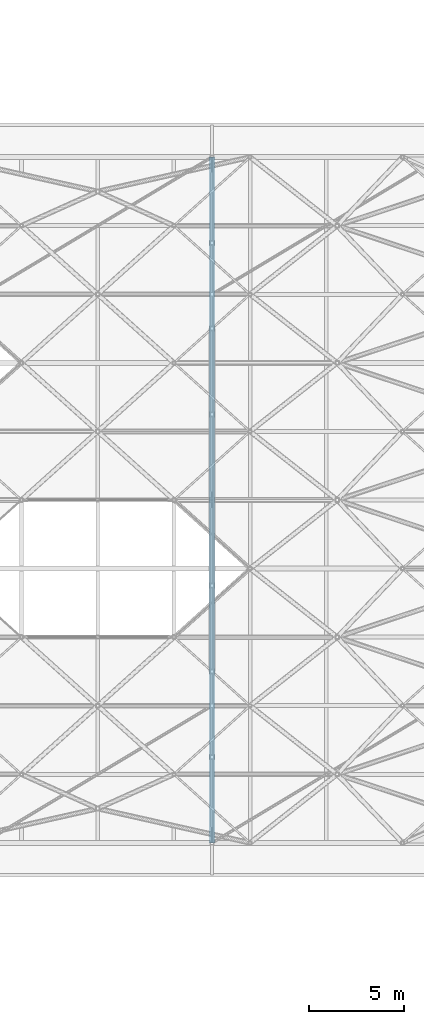
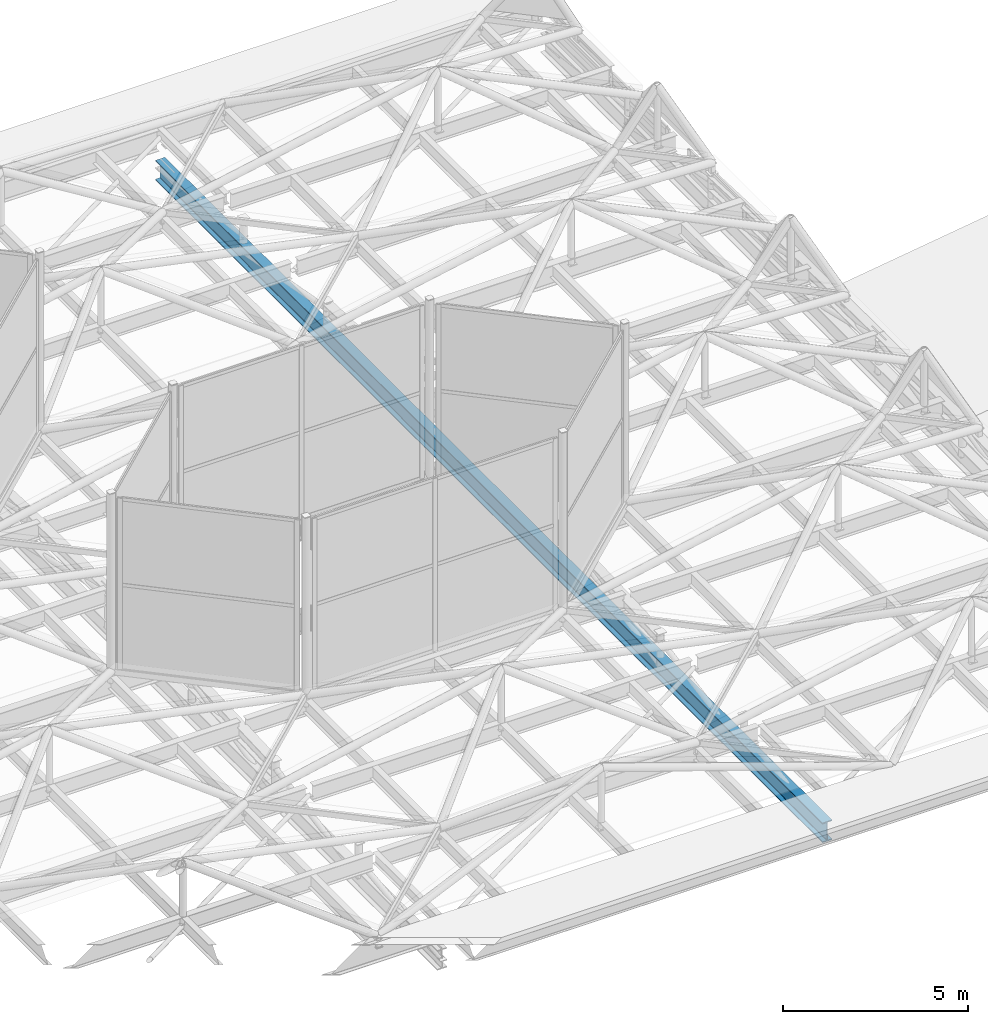
# One storey, part 132 of 239: 1 beam.
"""IFC4 building model written with IfcOpenShell, lengths in metres."""

from ifc_helpers import new_model, si_unit, direction, frame, origin, origin_2d, place, context, subcontext, project, spatial, i_section, extrude, material, material_profile, profile_set, type_object, element, save


model = new_model("IFC4")

# Units and contexts
model_context = context("Model", 3, precision=1e-05, world=origin(), true_north=direction((0.0, 1.0)))
body_context = subcontext(model_context, "Body", "Model", "MODEL_VIEW")
ifc_project = project(units=[si_unit("LENGTHUNIT", "METRE"), si_unit("AREAUNIT", "SQUARE_METRE"), si_unit("VOLUMEUNIT", "CUBIC_METRE"), si_unit("PLANEANGLEUNIT", "RADIAN"), si_unit("MASSUNIT", "GRAM", prefix="KILO")], contexts=[model_context])

# Site, building, storey
site_placement = place(None, origin())
site = spatial("IfcSite", under=ifc_project, at=site_placement, CompositionType="ELEMENT")
building_placement = place(site_placement, origin())
building = spatial("IfcBuilding", under=site, at=building_placement, Name="Dunvalen Ferry Terminal", CompositionType="ELEMENT")
storey_placement = place(building_placement, frame((0.0, 0.0, 9.840087890625)))
storey = spatial("IfcBuildingStorey", under=building, at=storey_placement, Name="L02", CompositionType="ELEMENT", Elevation=9.840087890625)

# Beam
ifc_material = material(Name="Steel S355", Category="steel")
ifc_material_profile = material_profile(ifc_material, i_section(OverallWidth=0.300048828125, OverallDepth=0.64990234375, WebThickness=0.01611328125, FlangeThickness=0.031005859375, FilletRadius=0.027099609375, at=origin_2d()), Name="Steel S355")
ifc_profile_set = profile_set([ifc_material_profile], Name="Steel S355")
beam_type = type_object("IfcBeamType", Name="STR-BM-HEB650", PredefinedType="BEAM", material=ifc_profile_set)
beam_placement = place(storey_placement, frame((84.0, 50.39990234375, -0.360107421875), z_axis=(0.0, 1.0, 0.0), x_axis=(-1.0, 0.0, 0.0)))
element("IfcBeam", 1, at=beam_placement, inside=storey, type_object=beam_type, Name="Departure Hall Tied-Arch Tie Girder 07", PredefinedType="BEAM", context=body_context, shape_type="SweptSolid", body=[
    extrude(i_section(OverallWidth=0.300048828125, OverallDepth=0.64990234375, WebThickness=0.01611328125, FlangeThickness=0.031005859375, FilletRadius=0.027099609375, at=origin_2d()), origin(), (0.0, 0.0, 1.0), 36.0),
])

save(model, "model.ifc")
